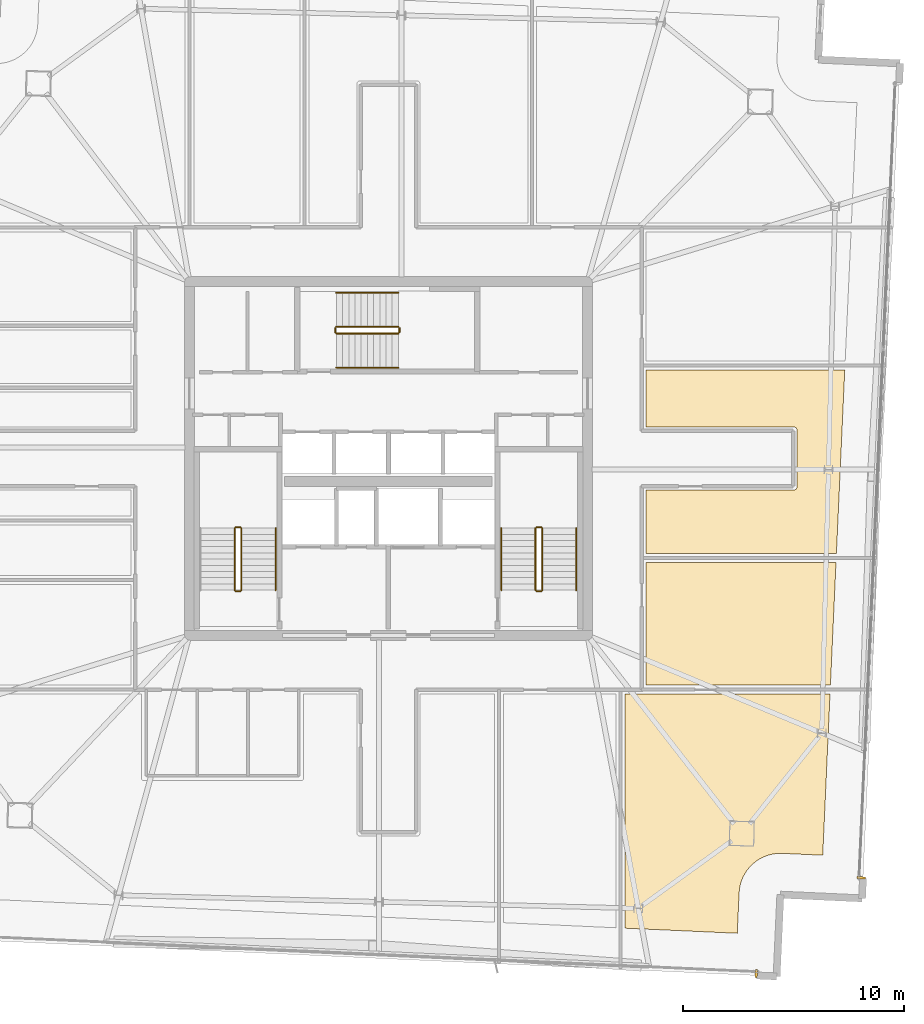
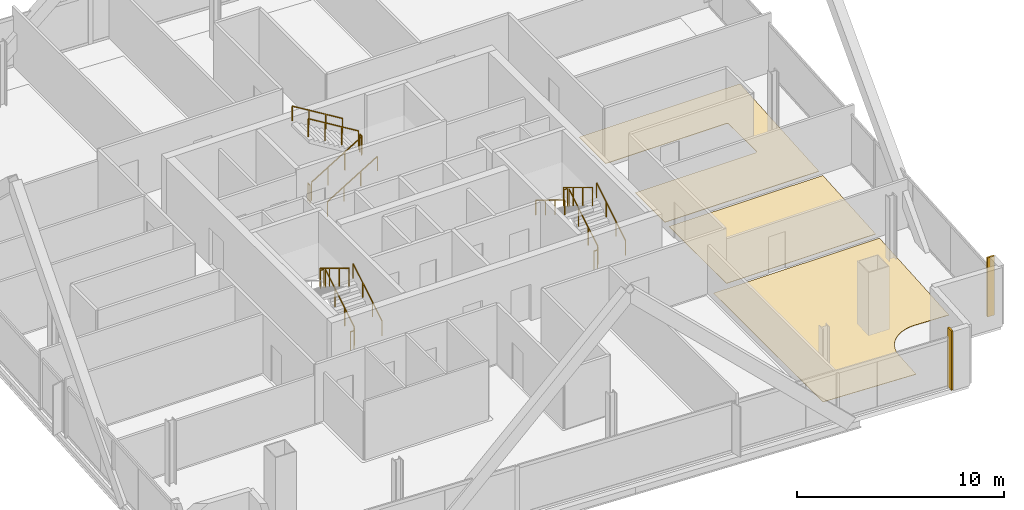
# One storey, part 25 of 26: 17 railings, 5 coverings.
"""IFC4 building model written with IfcOpenShell, lengths in metres."""

from ifc_helpers import new_model, si_unit, direction, frame, origin, origin_2d, place, context, subcontext, project, spatial, polyline, rectangle, outline, extrude, source, transform, mapped, material, layer, layer_set, type_object, element, save


model = new_model("IFC4")

# Units and contexts
model_context = context("Model", 3, precision=1e-05, world=origin(), true_north=direction((0.0, 1.0)))
body_context = subcontext(model_context, "Body", "Model", "MODEL_VIEW")
ifc_project = project(units=[si_unit("LENGTHUNIT", "METRE"), si_unit("AREAUNIT", "SQUARE_METRE"), si_unit("VOLUMEUNIT", "CUBIC_METRE"), si_unit("PLANEANGLEUNIT", "RADIAN"), si_unit("MASSUNIT", "GRAM", prefix="KILO")], contexts=[model_context])

# Site, building, storey
site_placement = place(None, origin())
site = spatial("IfcSite", under=ifc_project, at=site_placement, CompositionType="ELEMENT")
building_placement = place(site_placement, origin())
building = spatial("IfcBuilding", under=site, at=building_placement, Name="Haldenkirk Collegiate Tower", CompositionType="ELEMENT")
storey_placement = place(building_placement, frame((0.0, 0.0, 321.449951171875)))
storey = spatial("IfcBuildingStorey", under=building, at=storey_placement, Name="L81", CompositionType="ELEMENT", Elevation=321.449951171875)

# Coverings
ifc_material_1 = material(Name="Polished collegiate terrazzo", Category="concrete")
ifc_layer_1 = layer(ifc_material_1, 0.02490234375)
ifc_layer_set_1 = layer_set([ifc_layer_1], Name="Polished collegiate terrazzo")
covering_type_1 = type_object("IfcCoveringType", Name="COV-FLOOR-TERRAZZO", PredefinedType="FLOORING", material=ifc_layer_set_1)
covering_1_placement = place(storey_placement, origin())
element("IfcCovering", 1, at=covering_1_placement, inside=storey, type_object=covering_type_1, Name="L81 academic room finish 14", PredefinedType="FLOORING", context=body_context, shape_type="SweptSolid", body=[
    extrude(outline(polyline([(54.35009765625, 24.580078125), (54.36181640625, 24.58056640625), (54.373291015625, 24.582275390625), (54.384765625, 24.585205078125), (54.39599609375, 24.589111328125), (54.406494140625, 24.59423828125), (54.416748046875, 24.60009765625), (54.426025390625, 24.607177734375), (54.434814453125, 24.614990234375), (54.44287109375, 24.623779296875), (54.44970703125, 24.63330078125), (54.455810546875, 24.643310546875), (54.4609375, 24.654052734375), (54.46484375, 24.665283203125), (54.4677734375, 24.676513671875), (54.469482421875, 24.688232421875), (54.469970703125, 24.699951171875), (54.469970703125, 27.300048828125), (54.469482421875, 27.311767578125), (54.4677734375, 27.323486328125), (54.46484375, 27.334716796875), (54.4609375, 27.345947265625), (54.455810546875, 27.356689453125), (54.44970703125, 27.36669921875), (54.44287109375, 27.376220703125), (54.434814453125, 27.385009765625), (54.426025390625, 27.392822265625), (54.416748046875, 27.39990234375), (54.406494140625, 27.40576171875), (54.39599609375, 27.410888671875), (54.384765625, 27.414794921875), (54.373291015625, 27.417724609375), (54.36181640625, 27.41943359375), (54.35009765625, 27.419921875), (47.64990234375, 27.419921875), (47.64990234375, 30.0), (56.6328125, 30.0), (56.255859375, 21.699951171875), (47.64990234375, 21.699951171875), (47.64990234375, 24.580078125), (54.35009765625, 24.580078125)])), origin(), (0.0, 0.0, 1.0), 0.025146484375),
])
ifc_material_2 = material(Name="Engineered collegiate oak acoustic flooring", Category="wood")
ifc_layer_2 = layer(ifc_material_2, 0.02197265625)
ifc_layer_set_2 = layer_set([ifc_layer_2], Name="Engineered collegiate oak acoustic flooring")
covering_type_2 = type_object("IfcCoveringType", Name="COV-FLOOR-TIMBER", PredefinedType="FLOORING", material=ifc_layer_set_2)
covering_2_placement = place(storey_placement, origin())
element("IfcCovering", 2, at=covering_2_placement, inside=storey, type_object=covering_type_2, Name="L81 academic room finish 03", PredefinedType="FLOORING", context=body_context, shape_type="SweptSolid", body=[
    extrude(outline(polyline([(53.092529296875, 8.035888671875), (53.08154296875, 8.031982421875), (52.923095703125, 7.965576171875), (52.912353515625, 7.96044921875), (52.76123046875, 7.87890625), (52.751220703125, 7.872802734375), (52.60888671875, 7.77685546875), (52.599365234375, 7.77001953125), (52.467041015625, 7.660400390625), (52.458251953125, 7.652587890625), (52.33740234375, 7.530517578125), (52.32958984375, 7.52197265625), (52.220947265625, 7.388916015625), (52.2138671875, 7.379150390625), (52.119140625, 7.236083984375), (52.11328125, 7.22607421875), (52.03271484375, 7.07421875), (52.02783203125, 7.063720703125), (51.962646484375, 6.90478515625), (51.95849609375, 6.8935546875), (51.909423828125, 6.72900390625), (51.906494140625, 6.717529296875), (51.873779296875, 6.549072265625), (51.8720703125, 6.537353515625), (51.855712890625, 6.366455078125), (51.85546875, 6.360595703125), (51.7724609375, 4.532470703125), (46.699951171875, 4.7626953125), (46.699951171875, 15.35009765625), (55.96728515625, 15.35009765625), (55.636474609375, 8.060791015625), (53.808349609375, 8.143798828125), (53.802490234375, 8.143798828125), (53.630615234375, 8.143310546875), (53.618896484375, 8.142578125), (53.447998046875, 8.125244140625), (53.4365234375, 8.123291015625), (53.268310546875, 8.08935546875), (53.256591796875, 8.08642578125), (53.092529296875, 8.035888671875)])), origin(), (0.0, 0.0, 1.0), 0.02197265625),
])
covering_3_placement = place(storey_placement, origin())
element("IfcCovering", 3, at=covering_3_placement, inside=storey, type_object=covering_type_2, Name="L81 academic room finish 13", PredefinedType="FLOORING", context=body_context, shape_type="SweptSolid", body=[
    extrude(outline(polyline([(55.985595703125, 15.75), (47.64990234375, 15.75), (47.64990234375, 21.300048828125), (56.237548828125, 21.300048828125), (55.985595703125, 15.75)])), origin(), (0.0, 0.0, 1.0), 0.02197265625),
])

# Railings
ifc_material_3 = material(Name="Painted architectural tubular steel", Category="steel")
railing_type_1 = type_object("IfcRailingType", Name="RLG-STAIR-GUARD-1100", PredefinedType="BALUSTRADE", material=ifc_material_3)
railing_1_placement = place(storey_placement, frame((29.35009765625, 20.050048828125, 0.17041015625)))
element("IfcRailing", 4, at=railing_1_placement, inside=storey, type_object=railing_type_1, Name="L81 ST-1 stair guard 1", PredefinedType="BALUSTRADE", context=body_context, shape_type="SweptSolid", body=[
    extrude(rectangle(XDim=0.048095703125, YDim=0.048095703125, at=origin_2d()), frame((0.0, 0.0, 1.076171875), z_axis=(0.0, 0.854169791009, 0.51999420009), x_axis=(-1.0, 0.0, 0.0)), (0.0, 0.0, 1.0), 3.278076171875),
    extrude(rectangle(XDim=0.0419921875, YDim=0.0419921875, at=origin_2d()), origin(), (0.0, 0.0, 1.0), 1.052001953125),
    extrude(rectangle(XDim=0.0419921875, YDim=0.0419921875, at=origin_2d()), frame((0.0, 0.933349609375, 0.568115234375)), (0.0, 0.0, 1.0), 1.052001953125),
    extrude(rectangle(XDim=0.0419921875, YDim=0.0419921875, at=origin_2d()), frame((0.0, 1.86669921875, 1.136474609375)), (0.0, 0.0, 1.0), 1.052001953125),
    extrude(rectangle(XDim=0.0419921875, YDim=0.0419921875, at=origin_2d()), frame((0.0, 2.800048828125, 1.70458984375)), (0.0, 0.0, 1.0), 1.052001953125),
])
railing_2_placement = place(storey_placement, frame((29.300048828125, 22.89990234375, 1.875)))
element("IfcRailing", 5, at=railing_2_placement, inside=storey, type_object=railing_type_1, Name="L81 ST-1 stair guard 2", PredefinedType="BALUSTRADE", context=body_context, shape_type="SweptSolid", body=[
    extrude(rectangle(XDim=0.048095703125, YDim=0.048095703125, at=origin_2d()), frame((0.0, 0.0, 1.076171875), z_axis=(-1.0, 0.0, 0.0), x_axis=(0.0, -1.0, 0.0)), (0.0, 0.0, 1.0), 0.199951171875),
    extrude(rectangle(XDim=0.0419921875, YDim=0.0419921875, at=origin_2d()), origin(), (0.0, 0.0, 1.0), 1.052001953125),
    extrude(rectangle(XDim=0.0419921875, YDim=0.0419921875, at=origin_2d()), frame((-0.199951171875, 0.0, 0.0)), (0.0, 0.0, 1.0), 1.052001953125),
])
railing_3_placement = place(storey_placement, frame((29.050048828125, 22.85009765625, 2.04541015625)))
element("IfcRailing", 6, at=railing_3_placement, inside=storey, type_object=railing_type_1, Name="L81 ST-1 stair guard 3", PredefinedType="BALUSTRADE", context=body_context, shape_type="SweptSolid", body=[
    extrude(rectangle(XDim=0.048095703125, YDim=0.048095703125, at=origin_2d()), frame((0.0, 0.0, 1.076171875), z_axis=(0.0, -0.854169791009, 0.51999420009), x_axis=(1.0, 0.0, 0.0)), (0.0, 0.0, 1.0), 3.278076171875),
    extrude(rectangle(XDim=0.0419921875, YDim=0.0419921875, at=origin_2d()), origin(), (0.0, 0.0, 1.0), 1.052001953125),
    extrude(rectangle(XDim=0.0419921875, YDim=0.0419921875, at=origin_2d()), frame((0.0, -0.933349609375, 0.568115234375)), (0.0, 0.0, 1.0), 1.052001953125),
    extrude(rectangle(XDim=0.0419921875, YDim=0.0419921875, at=origin_2d()), frame((0.0, -1.86669921875, 1.136474609375)), (0.0, 0.0, 1.0), 1.052001953125),
    extrude(rectangle(XDim=0.0419921875, YDim=0.0419921875, at=origin_2d()), frame((0.0, -2.800048828125, 1.70458984375)), (0.0, 0.0, 1.0), 1.052001953125),
])
railing_4_placement = place(storey_placement, frame((29.300048828125, 20.0, 0.0)))
element("IfcRailing", 7, at=railing_4_placement, inside=storey, type_object=railing_type_1, Name="L81 ST-1 stair guard 4", PredefinedType="BALUSTRADE", context=body_context, shape_type="SweptSolid", body=[
    extrude(rectangle(XDim=0.048095703125, YDim=0.048095703125, at=origin_2d()), frame((0.0, 0.0, 1.076171875), z_axis=(-1.0, 0.0, 0.0), x_axis=(0.0, -1.0, 0.0)), (0.0, 0.0, 1.0), 0.199951171875),
    extrude(rectangle(XDim=0.0419921875, YDim=0.0419921875, at=origin_2d()), origin(), (0.0, 0.0, 1.0), 1.052001953125),
    extrude(rectangle(XDim=0.0419921875, YDim=0.0419921875, at=origin_2d()), frame((-0.199951171875, 0.0, 0.0)), (0.0, 0.0, 1.0), 1.052001953125),
])
railing_5_placement = place(storey_placement, frame((42.949951171875, 20.050048828125, 0.17041015625)))
element("IfcRailing", 8, at=railing_5_placement, inside=storey, type_object=railing_type_1, Name="L81 ST-2 stair guard 1", PredefinedType="BALUSTRADE", context=body_context, shape_type="SweptSolid", body=[
    extrude(rectangle(XDim=0.048095703125, YDim=0.048095703125, at=origin_2d()), frame((0.0, 0.0, 1.076171875), z_axis=(0.0, 0.854169791009, 0.51999420009), x_axis=(-1.0, 0.0, 0.0)), (0.0, 0.0, 1.0), 3.278076171875),
    extrude(rectangle(XDim=0.0419921875, YDim=0.0419921875, at=origin_2d()), origin(), (0.0, 0.0, 1.0), 1.052001953125),
    extrude(rectangle(XDim=0.0419921875, YDim=0.0419921875, at=origin_2d()), frame((0.0, 0.933349609375, 0.568115234375)), (0.0, 0.0, 1.0), 1.052001953125),
    extrude(rectangle(XDim=0.0419921875, YDim=0.0419921875, at=origin_2d()), frame((0.0, 1.86669921875, 1.136474609375)), (0.0, 0.0, 1.0), 1.052001953125),
    extrude(rectangle(XDim=0.0419921875, YDim=0.0419921875, at=origin_2d()), frame((0.0, 2.800048828125, 1.70458984375)), (0.0, 0.0, 1.0), 1.052001953125),
])
railing_6_placement = place(storey_placement, frame((42.89990234375, 22.89990234375, 1.875)))
element("IfcRailing", 9, at=railing_6_placement, inside=storey, type_object=railing_type_1, Name="L81 ST-2 stair guard 2", PredefinedType="BALUSTRADE", context=body_context, shape_type="SweptSolid", body=[
    extrude(rectangle(XDim=0.048095703125, YDim=0.048095703125, at=origin_2d()), frame((0.0, 0.0, 1.076171875), z_axis=(-1.0, 0.0, 0.0), x_axis=(0.0, -1.0, 0.0)), (0.0, 0.0, 1.0), 0.199951171875),
    extrude(rectangle(XDim=0.0419921875, YDim=0.0419921875, at=origin_2d()), origin(), (0.0, 0.0, 1.0), 1.052001953125),
    extrude(rectangle(XDim=0.0419921875, YDim=0.0419921875, at=origin_2d()), frame((-0.199951171875, 0.0, 0.0)), (0.0, 0.0, 1.0), 1.052001953125),
])
railing_7_placement = place(storey_placement, frame((42.64990234375, 22.85009765625, 2.04541015625)))
element("IfcRailing", 10, at=railing_7_placement, inside=storey, type_object=railing_type_1, Name="L81 ST-2 stair guard 3", PredefinedType="BALUSTRADE", context=body_context, shape_type="SweptSolid", body=[
    extrude(rectangle(XDim=0.048095703125, YDim=0.048095703125, at=origin_2d()), frame((0.0, 0.0, 1.076171875), z_axis=(0.0, -0.854169791009, 0.51999420009), x_axis=(1.0, 0.0, 0.0)), (0.0, 0.0, 1.0), 3.278076171875),
    extrude(rectangle(XDim=0.0419921875, YDim=0.0419921875, at=origin_2d()), origin(), (0.0, 0.0, 1.0), 1.052001953125),
    extrude(rectangle(XDim=0.0419921875, YDim=0.0419921875, at=origin_2d()), frame((0.0, -0.933349609375, 0.568115234375)), (0.0, 0.0, 1.0), 1.052001953125),
    extrude(rectangle(XDim=0.0419921875, YDim=0.0419921875, at=origin_2d()), frame((0.0, -1.86669921875, 1.136474609375)), (0.0, 0.0, 1.0), 1.052001953125),
    extrude(rectangle(XDim=0.0419921875, YDim=0.0419921875, at=origin_2d()), frame((0.0, -2.800048828125, 1.70458984375)), (0.0, 0.0, 1.0), 1.052001953125),
])
railing_8_placement = place(storey_placement, frame((42.89990234375, 20.0, 0.0)))
element("IfcRailing", 11, at=railing_8_placement, inside=storey, type_object=railing_type_1, Name="L81 ST-2 stair guard 4", PredefinedType="BALUSTRADE", context=body_context, shape_type="SweptSolid", body=[
    extrude(rectangle(XDim=0.048095703125, YDim=0.048095703125, at=origin_2d()), frame((0.0, 0.0, 1.076171875), z_axis=(-1.0, 0.0, 0.0), x_axis=(0.0, -1.0, 0.0)), (0.0, 0.0, 1.0), 0.199951171875),
    extrude(rectangle(XDim=0.0419921875, YDim=0.0419921875, at=origin_2d()), origin(), (0.0, 0.0, 1.0), 1.052001953125),
    extrude(rectangle(XDim=0.0419921875, YDim=0.0419921875, at=origin_2d()), frame((-0.199951171875, 0.0, 0.0)), (0.0, 0.0, 1.0), 1.052001953125),
])
railing_9_placement = place(storey_placement, frame((33.64990234375, 31.64990234375, 0.17041015625)))
element("IfcRailing", 12, at=railing_9_placement, inside=storey, type_object=railing_type_1, Name="L81 ST-3 stair guard 1", PredefinedType="BALUSTRADE", context=body_context, shape_type="SweptSolid", body=[
    extrude(rectangle(XDim=0.048095703125, YDim=0.048095703125, at=origin_2d()), frame((0.0, 0.0, 1.076171875), z_axis=(0.854169791009, 0.0, 0.51999420009), x_axis=(0.0, 1.0, 0.0)), (0.0, 0.0, 1.0), 3.278076171875),
    extrude(rectangle(XDim=0.0419921875, YDim=0.0419921875, at=origin_2d()), origin(), (0.0, 0.0, 1.0), 1.052001953125),
    extrude(rectangle(XDim=0.0419921875, YDim=0.0419921875, at=origin_2d()), frame((0.933349609375, 0.0, 0.568115234375)), (0.0, 0.0, 1.0), 1.052001953125),
    extrude(rectangle(XDim=0.0419921875, YDim=0.0419921875, at=origin_2d()), frame((1.86669921875, 0.0, 1.136474609375)), (0.0, 0.0, 1.0), 1.052001953125),
    extrude(rectangle(XDim=0.0419921875, YDim=0.0419921875, at=origin_2d()), frame((2.800048828125, 0.0, 1.70458984375)), (0.0, 0.0, 1.0), 1.052001953125),
])
railing_10_placement = place(storey_placement, frame((36.5, 31.699951171875, 1.875)))
element("IfcRailing", 13, at=railing_10_placement, inside=storey, type_object=railing_type_1, Name="L81 ST-3 stair guard 2", PredefinedType="BALUSTRADE", context=body_context, shape_type="SweptSolid", body=[
    extrude(rectangle(XDim=0.048095703125, YDim=0.048095703125, at=origin_2d()), frame((0.0, 0.0, 1.076171875), z_axis=(0.0, 1.0, 0.0), x_axis=(-1.0, 0.0, 0.0)), (0.0, 0.0, 1.0), 0.199951171875),
    extrude(rectangle(XDim=0.0419921875, YDim=0.0419921875, at=origin_2d()), origin(), (0.0, 0.0, 1.0), 1.052001953125),
    extrude(rectangle(XDim=0.0419921875, YDim=0.0419921875, at=origin_2d()), frame((0.0, 0.199951171875, 0.0)), (0.0, 0.0, 1.0), 1.052001953125),
])
railing_11_placement = place(storey_placement, frame((36.449951171875, 31.949951171875, 2.04541015625)))
element("IfcRailing", 14, at=railing_11_placement, inside=storey, type_object=railing_type_1, Name="L81 ST-3 stair guard 3", PredefinedType="BALUSTRADE", context=body_context, shape_type="SweptSolid", body=[
    extrude(rectangle(XDim=0.048095703125, YDim=0.048095703125, at=origin_2d()), frame((0.0, 0.0, 1.076171875), z_axis=(-0.854169791009, 0.0, 0.51999420009), x_axis=(0.0, -1.0, 0.0)), (0.0, 0.0, 1.0), 3.278076171875),
    extrude(rectangle(XDim=0.0419921875, YDim=0.0419921875, at=origin_2d()), origin(), (0.0, 0.0, 1.0), 1.052001953125),
    extrude(rectangle(XDim=0.0419921875, YDim=0.0419921875, at=origin_2d()), frame((-0.933349609375, 0.0, 0.568115234375)), (0.0, 0.0, 1.0), 1.052001953125),
    extrude(rectangle(XDim=0.0419921875, YDim=0.0419921875, at=origin_2d()), frame((-1.86669921875, 0.0, 1.136474609375)), (0.0, 0.0, 1.0), 1.052001953125),
    extrude(rectangle(XDim=0.0419921875, YDim=0.0419921875, at=origin_2d()), frame((-2.800048828125, 0.0, 1.70458984375)), (0.0, 0.0, 1.0), 1.052001953125),
])
railing_12_placement = place(storey_placement, frame((33.60009765625, 31.699951171875, 0.0)))
element("IfcRailing", 15, at=railing_12_placement, inside=storey, type_object=railing_type_1, Name="L81 ST-3 stair guard 4", PredefinedType="BALUSTRADE", context=body_context, shape_type="SweptSolid", body=[
    extrude(rectangle(XDim=0.048095703125, YDim=0.048095703125, at=origin_2d()), frame((0.0, 0.0, 1.076171875), z_axis=(0.0, 1.0, 0.0), x_axis=(-1.0, 0.0, 0.0)), (0.0, 0.0, 1.0), 0.199951171875),
    extrude(rectangle(XDim=0.0419921875, YDim=0.0419921875, at=origin_2d()), origin(), (0.0, 0.0, 1.0), 1.052001953125),
    extrude(rectangle(XDim=0.0419921875, YDim=0.0419921875, at=origin_2d()), frame((0.0, 0.199951171875, 0.0)), (0.0, 0.0, 1.0), 1.052001953125),
])
railing_type_2 = type_object("IfcRailingType", Name="RLG-STAIR-HANDRAIL-900", PredefinedType="HANDRAIL", material=ifc_material_3)
for number, where, name in (
    (16, (30.89990234375, 20.050048828125, 0.17041015625), "L81 ST-1 stair handrail 1"),
    (17, (44.5, 20.050048828125, 0.17041015625), "L81 ST-2 stair handrail 1"),
):
    element("IfcRailing", number, at=place(storey_placement, frame(where)), inside=storey, type_object=railing_type_2, Name=name, PredefinedType="HANDRAIL", context=body_context, shape_type="SweptSolid", body=[
        extrude(rectangle(XDim=0.048095703125, YDim=0.048095703125, at=origin_2d()), frame((0.0, 0.0, 0.8759765625), z_axis=(0.0, 0.854169791009, 0.51999420009), x_axis=(-1.0, 0.0, 0.0)), (0.0, 0.0, 1.0), 3.278076171875),
        extrude(rectangle(XDim=0.0419921875, YDim=0.0419921875, at=origin_2d()), origin(), (0.0, 0.0, 1.0), 0.851806640625),
        extrude(rectangle(XDim=0.0419921875, YDim=0.0419921875, at=origin_2d()), frame((0.0, 0.933349609375, 0.568115234375)), (0.0, 0.0, 1.0), 0.851806640625),
        extrude(rectangle(XDim=0.0419921875, YDim=0.0419921875, at=origin_2d()), frame((0.0, 1.86669921875, 1.136474609375)), (0.0, 0.0, 1.0), 0.851806640625),
        extrude(rectangle(XDim=0.0419921875, YDim=0.0419921875, at=origin_2d()), frame((0.0, 2.800048828125, 1.70458984375)), (0.0, 0.0, 1.0), 0.851806640625),
    ])
railing_13_placement = place(storey_placement, frame((41.10009765625, 22.85009765625, 2.04541015625)))
element("IfcRailing", 18, at=railing_13_placement, inside=storey, type_object=railing_type_2, Name="L81 ST-2 stair handrail 2", PredefinedType="HANDRAIL", context=body_context, shape_type="SweptSolid", body=[
    extrude(rectangle(XDim=0.048095703125, YDim=0.048095703125, at=origin_2d()), frame((0.0, 0.0, 0.8759765625), z_axis=(0.0, -0.854169791009, 0.51999420009), x_axis=(1.0, 0.0, 0.0)), (0.0, 0.0, 1.0), 3.278076171875),
    extrude(rectangle(XDim=0.0419921875, YDim=0.0419921875, at=origin_2d()), origin(), (0.0, 0.0, 1.0), 0.851806640625),
    extrude(rectangle(XDim=0.0419921875, YDim=0.0419921875, at=origin_2d()), frame((0.0, -0.933349609375, 0.568115234375)), (0.0, 0.0, 1.0), 0.851806640625),
    extrude(rectangle(XDim=0.0419921875, YDim=0.0419921875, at=origin_2d()), frame((0.0, -1.86669921875, 1.136474609375)), (0.0, 0.0, 1.0), 0.851806640625),
    extrude(rectangle(XDim=0.0419921875, YDim=0.0419921875, at=origin_2d()), frame((0.0, -2.800048828125, 1.70458984375)), (0.0, 0.0, 1.0), 0.851806640625),
])
railing_14_placement = place(storey_placement, frame((33.64990234375, 30.10009765625, 0.17041015625)))
element("IfcRailing", 19, at=railing_14_placement, inside=storey, type_object=railing_type_2, Name="L81 ST-3 stair handrail 1", PredefinedType="HANDRAIL", context=body_context, shape_type="SweptSolid", body=[
    extrude(rectangle(XDim=0.048095703125, YDim=0.048095703125, at=origin_2d()), frame((0.0, 0.0, 0.8759765625), z_axis=(0.854169791009, 0.0, 0.51999420009), x_axis=(0.0, 1.0, 0.0)), (0.0, 0.0, 1.0), 3.278076171875),
    extrude(rectangle(XDim=0.0419921875, YDim=0.0419921875, at=origin_2d()), origin(), (0.0, 0.0, 1.0), 0.851806640625),
    extrude(rectangle(XDim=0.0419921875, YDim=0.0419921875, at=origin_2d()), frame((0.933349609375, 0.0, 0.568115234375)), (0.0, 0.0, 1.0), 0.851806640625),
    extrude(rectangle(XDim=0.0419921875, YDim=0.0419921875, at=origin_2d()), frame((1.86669921875, 0.0, 1.136474609375)), (0.0, 0.0, 1.0), 0.851806640625),
    extrude(rectangle(XDim=0.0419921875, YDim=0.0419921875, at=origin_2d()), frame((2.800048828125, 0.0, 1.70458984375)), (0.0, 0.0, 1.0), 0.851806640625),
])
railing_15_placement = place(storey_placement, frame((36.449951171875, 33.5, 2.04541015625)))
element("IfcRailing", 20, at=railing_15_placement, inside=storey, type_object=railing_type_2, Name="L81 ST-3 stair handrail 2", PredefinedType="HANDRAIL", context=body_context, shape_type="SweptSolid", body=[
    extrude(rectangle(XDim=0.048095703125, YDim=0.048095703125, at=origin_2d()), frame((0.0, 0.0, 0.8759765625), z_axis=(-0.854169791009, 0.0, 0.51999420009), x_axis=(0.0, -1.0, 0.0)), (0.0, 0.0, 1.0), 3.278076171875),
    extrude(rectangle(XDim=0.0419921875, YDim=0.0419921875, at=origin_2d()), origin(), (0.0, 0.0, 1.0), 0.851806640625),
    extrude(rectangle(XDim=0.0419921875, YDim=0.0419921875, at=origin_2d()), frame((-0.933349609375, 0.0, 0.568115234375)), (0.0, 0.0, 1.0), 0.851806640625),
    extrude(rectangle(XDim=0.0419921875, YDim=0.0419921875, at=origin_2d()), frame((-1.86669921875, 0.0, 1.136474609375)), (0.0, 0.0, 1.0), 0.851806640625),
    extrude(rectangle(XDim=0.0419921875, YDim=0.0419921875, at=origin_2d()), frame((-2.800048828125, 0.0, 1.70458984375)), (0.0, 0.0, 1.0), 0.851806640625),
])

# Coverings
ifc_material_4 = material(Name="Anodised architectural bronze aluminium", Category="aluminium")
ifc_layer_3 = layer(ifc_material_4, 0.06005859375)
ifc_layer_set_3 = layer_set([ifc_layer_3], Name="Anodised architectural bronze aluminium")
covering_type_3 = type_object("IfcCoveringType", Name="COV-CLAD-BRONZE-60", PredefinedType="CLADDING", material=ifc_layer_set_3)
shared_shape = source(origin(), body_context, "Body", "SweptSolid", [
    extrude(rectangle(XDim=0.10009765625, YDim=0.3798828125, at=origin_2d()), origin(), (0.0, 0.0, 1.0), 3.489990234375),
])
for number, where, z_axis, x_axis, name in (
    (21, (57.3720703125, 7.041015625, 0.0), (0.0, 0.0, 1.0), (-0.045362988129, -0.998970569791, 0.0), "L81 recessed curtain-wall bronze jamb closure SJR"),
    (22, (52.630615234375, 2.711669921875, 0.0), (0.0, 0.0, 1.0), (-0.998970569791, 0.045362988129, 0.0), "L81 recessed curtain-wall bronze jamb closure WJL"),
):
    element("IfcCovering", number, at=place(storey_placement, frame(where, z_axis=z_axis, x_axis=x_axis)), inside=storey, type_object=covering_type_3, Name=name, PredefinedType="CLADDING", context=body_context, shape_type="MappedRepresentation", body=[
        mapped(shared_shape, transform((0.0, 0.0, 0.0), x_axis=(1.0, 0.0, 0.0), y_axis=(0.0, 1.0, 0.0), z_axis=(0.0, 0.0, 1.0), scale=1.0)),
    ])

save(model, "model.ifc")
